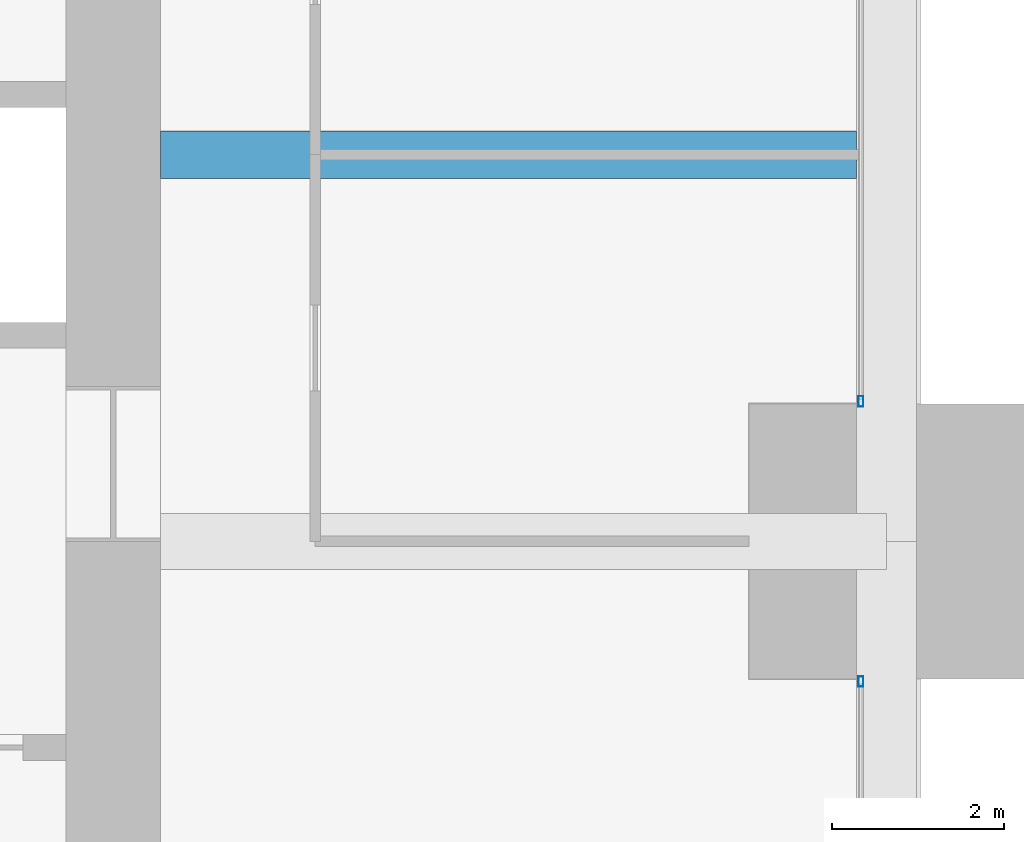
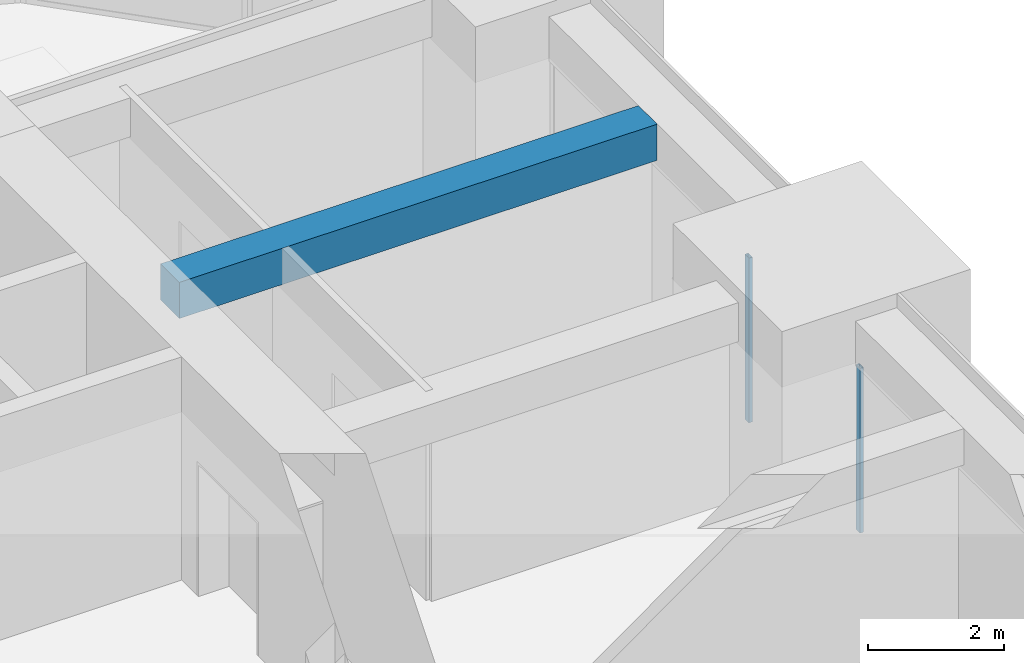
# One storey, part 25 of 43: 2 members, 1 beam, 2 elements without a shape of their own.
"""IFC4 building model written with IfcOpenShell, lengths in metres."""

from ifc_helpers import new_model, si_unit, direction, frame, origin, origin_2d, place, context, subcontext, project, spatial, rectangle, hollow_rectangle, extrude, material, material_profile, profile_set, type_object, element, aggregate, save


model = new_model("IFC4")

# Units and contexts
model_context = context("Model", 3, precision=1e-05, world=origin(), true_north=direction((0.0, 1.0)))
body_context = subcontext(model_context, "Body", "Model", "MODEL_VIEW")
ifc_project = project(units=[si_unit("LENGTHUNIT", "METRE"), si_unit("AREAUNIT", "SQUARE_METRE"), si_unit("VOLUMEUNIT", "CUBIC_METRE"), si_unit("PLANEANGLEUNIT", "RADIAN"), si_unit("MASSUNIT", "GRAM", prefix="KILO")], contexts=[model_context])

# Site, building, storey
site_placement = place(None, origin())
site = spatial("IfcSite", under=ifc_project, at=site_placement, CompositionType="ELEMENT")
building_placement = place(site_placement, origin())
building = spatial("IfcBuilding", under=site, at=building_placement, Name="Zorevar Civic Tower", CompositionType="ELEMENT")
storey_placement = place(building_placement, frame((0.0, 0.0, 243.39990234375)))
storey = spatial("IfcBuildingStorey", under=building, at=storey_placement, Name="L59", CompositionType="ELEMENT", Elevation=243.39990234375)

# Beam
ifc_material_1 = material(Name="Concrete C50/60", Category="concrete")
ifc_material_profile_1 = material_profile(ifc_material_1, rectangle(XDim=0.550048828125, YDim=0.64990234375, at=origin_2d()), Name="RC 550x650")
ifc_profile_set_1 = profile_set([ifc_material_profile_1], Name="Concrete C50/60")
beam_type = type_object("IfcBeamType", Name="Beam RC 550x650", PredefinedType="BEAM", material=ifc_profile_set_1)
beam_placement = place(storey_placement, frame((45.550048828125, 31.5, 3.425048828125), z_axis=(1.0, 0.0, 0.0), x_axis=(0.0, 1.0, 0.0)))
element("IfcBeam", 1, at=beam_placement, inside=storey, type_object=beam_type, Name="Secondary beam L60", PredefinedType="BEAM", context=body_context, shape_type="SweptSolid", body=[
    extrude(rectangle(XDim=0.550048828125, YDim=0.64990234375, at=origin_2d()), origin(), (0.0, 0.0, 1.0), 8.099853515625),
])

# Curtain wall, member
ifc_material_2 = material(Name="Dark grey solar-control glass in black aluminium frame", Category="aluminium")
curtain_wall_type = type_object("IfcCurtainWallType", Name="Curtain wall CW5 top zone", PredefinedType="NOTDEFINED", material=ifc_material_2)
curtain_wall_1_placement = place(storey_placement, origin())
curtain_wall_1 = element("IfcCurtainWall", 2, at=curtain_wall_1_placement, inside=storey, type_object=curtain_wall_type, Name="CW5 L59", PredefinedType="NOTDEFINED")
ifc_material_3 = material(Name="Aluminium, black anodised", Category="aluminium")
ifc_material_profile_2 = material_profile(ifc_material_3, hollow_rectangle(XDim=0.06005859375, YDim=0.1201171875, WallThickness=0.0029296875, at=origin_2d()), Name="AL 120x60x3")
ifc_profile_set_2 = profile_set([ifc_material_profile_2], Name="Aluminium, black anodised")
member_type = type_object("IfcMemberType", Name="CW5 mullion AL 120x60x3", PredefinedType="MULLION", material=ifc_profile_set_2)
member_1_placement = place(storey_placement, frame((53.699951171875, 25.3701171875, 0.0), z_axis=(0.0, 0.0, 1.0), x_axis=(-1.0, 0.0, 0.0)))
member_1 = element("IfcMember", 3, at=member_1_placement, type_object=member_type, Name="CW5 mullion 2", PredefinedType="MULLION", context=body_context, shape_type="SweptSolid", body=[
    extrude(hollow_rectangle(XDim=0.06005859375, YDim=0.1201171875, WallThickness=0.0029296875, at=origin_2d()), origin(), (0.0, 0.0, 1.0), 2.9501953125),
])
aggregate(curtain_wall_1, [member_1])

curtain_wall_2_placement = place(storey_placement, origin())
curtain_wall_2 = element("IfcCurtainWall", 4, at=curtain_wall_2_placement, inside=storey, type_object=curtain_wall_type, Name="CW5 L59", PredefinedType="NOTDEFINED")
member_2_placement = place(storey_placement, frame((53.699951171875, 28.6298828125, 0.0), z_axis=(0.0, 0.0, 1.0), x_axis=(-1.0, 0.0, 0.0)))
member_2 = element("IfcMember", 5, at=member_2_placement, type_object=member_type, Name="CW5 mullion 1", PredefinedType="MULLION", context=body_context, shape_type="SweptSolid", body=[
    extrude(hollow_rectangle(XDim=0.06005859375, YDim=0.1201171875, WallThickness=0.0029296875, at=origin_2d()), origin(), (0.0, 0.0, 1.0), 2.9501953125),
])
aggregate(curtain_wall_2, [member_2])

save(model, "model.ifc")
